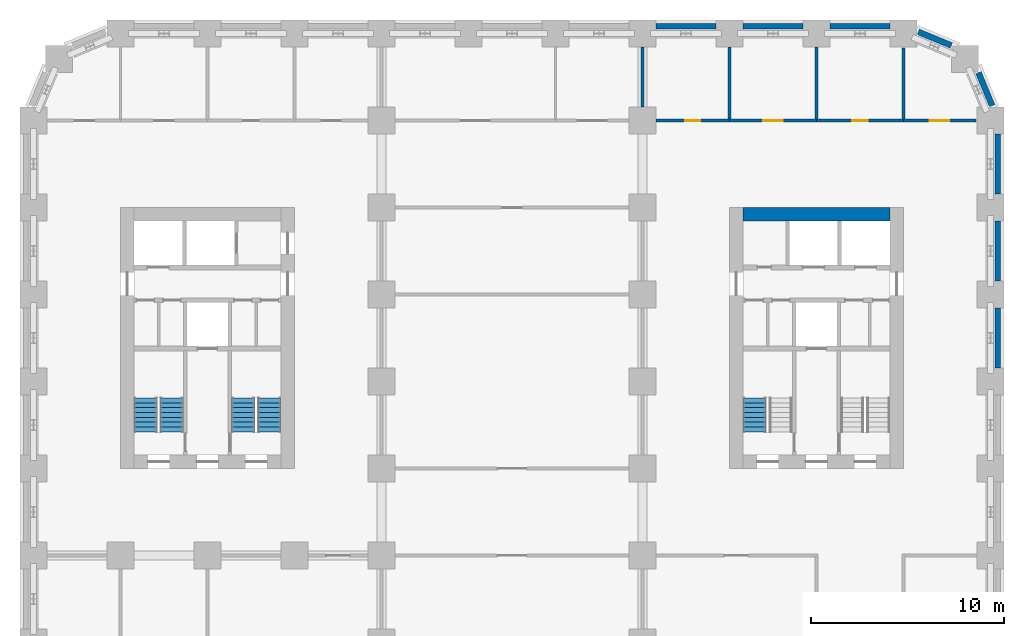
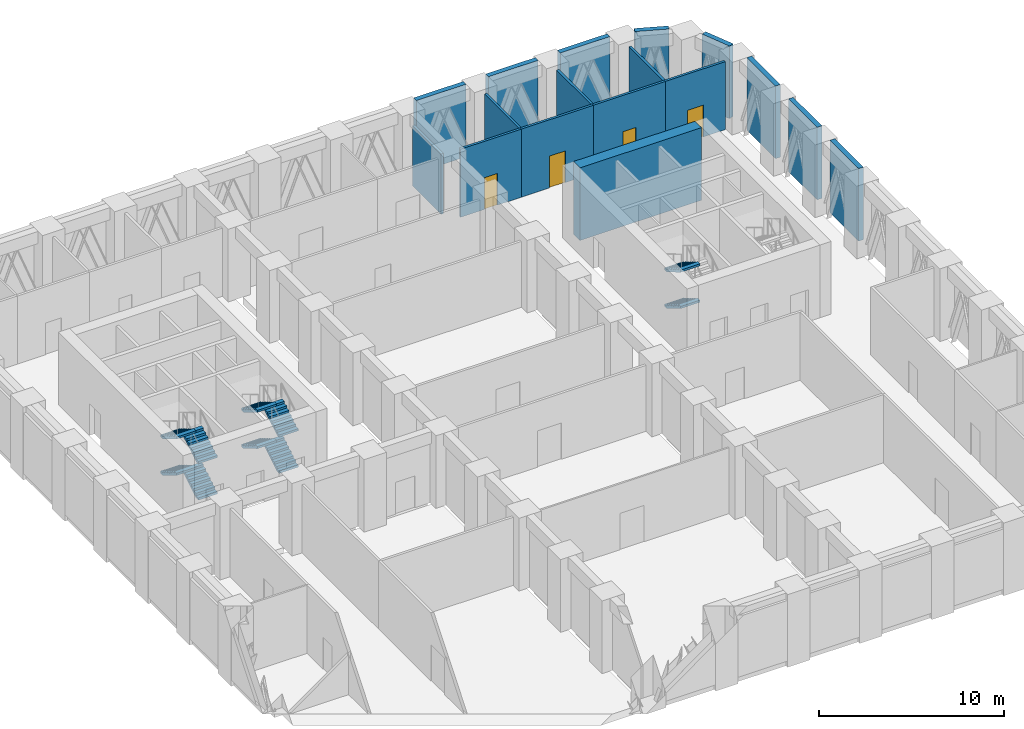
# One storey, part 6 of 9: 17 walls, 10 stair flights, 4 doors, 4 openings, 3 elements without a shape of their own.
"""IFC4 building model written with IfcOpenShell, lengths in metres."""

from ifc_helpers import new_model, si_unit, direction, frame, frame_2d, origin, place, context, subcontext, project, spatial, polyline, rectangle, outline, extrude, material, layer, layer_set, type_object, element, fill, aggregate, save


model = new_model("IFC4")

# Units and contexts
model_context = context("Model", 3, precision=1e-05, world=origin(), true_north=direction((0.0, 1.0)))
body_context = subcontext(model_context, "Body", "Model", "MODEL_VIEW")
ifc_project = project(units=[si_unit("LENGTHUNIT", "METRE"), si_unit("AREAUNIT", "SQUARE_METRE"), si_unit("VOLUMEUNIT", "CUBIC_METRE"), si_unit("PLANEANGLEUNIT", "RADIAN"), si_unit("MASSUNIT", "GRAM", prefix="KILO")], contexts=[model_context])

# Site, building, storey
site_placement = place(None, origin())
site = spatial("IfcSite", under=ifc_project, at=site_placement, CompositionType="ELEMENT")
building_placement = place(site_placement, origin())
building = spatial("IfcBuilding", under=site, at=building_placement, Name="Girih Gate Residences", CompositionType="ELEMENT")
storey_placement = place(building_placement, frame((0.0, 0.0, 75.199951171875)))
storey = spatial("IfcBuildingStorey", under=building, at=storey_placement, Name="L20", CompositionType="ELEMENT", Elevation=75.199951171875)

# Walls
ifc_material_1 = material(Name="Gypsum board on steel studs", Category="steel")
ifc_layer_1 = layer(ifc_material_1, 0.14990234375)
ifc_layer_set_1 = layer_set([ifc_layer_1], Name="Compartment wall 150 mm")
wall_type_1 = type_object("IfcWallType", Name="Compartment wall 150 mm", PredefinedType="PARTITIONING", material=ifc_layer_set_1)
wall_1_placement = place(storey_placement, frame((31.5, 45.699951171875, 0.0), z_axis=(0.0, 0.0, 1.0), x_axis=(0.0, 1.0, 0.0)))
element("IfcWall", 1, at=wall_1_placement, inside=storey, type_object=wall_type_1, Name="L20 partition", PredefinedType="PARTITIONING", context=body_context, shape_type="SweptSolid", body=[
    extrude(rectangle(XDim=3.10009765625, YDim=0.14990234375, at=frame_2d((1.550048828125, 0.0))), origin(), (0.0, 0.0, 1.0), 3.97998046875),
])
wall_2_placement = place(storey_placement, frame((45.0, 45.074951171875, 0.0), z_axis=(0.0, 0.0, 1.0), x_axis=(0.0, 1.0, 0.0)))
element("IfcWall", 2, at=wall_2_placement, inside=storey, type_object=wall_type_1, Name="L20 partition", PredefinedType="PARTITIONING", context=body_context, shape_type="SweptSolid", body=[
    extrude(rectangle(XDim=3.66748046875, YDim=0.14990234375, at=frame_2d((1.833740234375, 0.0))), origin(), (0.0, 0.0, 1.0), 4.5),
])

# Wall, opening, door
wall_3_placement = place(storey_placement, frame((45.0, 45.0, 0.0), z_axis=(0.0, 0.0, 1.0), x_axis=(1.0, 0.0, 0.0)))
wall_3 = element("IfcWall", 3, at=wall_3_placement, inside=storey, type_object=wall_type_1, Name="L20 partition", PredefinedType="PARTITIONING", context=body_context, shape_type="SweptSolid", body=[
    extrude(rectangle(XDim=3.742431640625, YDim=0.14990234375, at=frame_2d((1.87109375, 0.0))), origin(), (0.0, 0.0, 1.0), 4.5),
])
opening_1_placement = place(wall_3_placement, frame((1.37109375, 0.0, 0.0)))
opening_1 = element("IfcOpeningElement", 4, at=opening_1_placement, cuts=wall_3, Name="Opening D-L20-S-008", PredefinedType="OPENING", context=body_context, shape_type="SweptSolid", body=[
    extrude(rectangle(XDim=1.0, YDim=2.10009765625, at=frame_2d((0.5, 1.050048828125))), frame((0.0, 0.0849609375, 0.0), z_axis=(0.0, -1.0, 0.0), x_axis=(1.0, 0.0, 0.0)), (0.0, 0.0, 1.0), 0.169921875),
])
ifc_material_2 = material(Name="Painted steel, fire-resisting", Category="steel")
door_type_1 = type_object("IfcDoorType", Name="Plant room door 1000x2100 FD60", OperationType="SINGLE_SWING_LEFT", PredefinedType="DOOR", material=ifc_material_2)
door_1_placement = place(opening_1_placement, origin())
door_1 = element("IfcDoor", 5, at=door_1_placement, inside=storey, type_object=door_type_1, Name="Door L20-008", OperationType="SINGLE_SWING_RIGHT", OverallHeight=2.10009765625, OverallWidth=1.0, PredefinedType="DOOR", context=body_context, shape_type="SweptSolid", body=[
    extrude(rectangle(XDim=1.0, YDim=2.10009765625, at=frame_2d((0.5, 1.050048828125))), frame((0.0, 0.02490234375, 0.0), z_axis=(0.0, -1.0, 0.0), x_axis=(1.0, 0.0, 0.0)), (0.0, 0.0, 1.0), 0.050048828125),
])
fill(opening_1, door_1)

# Wall
wall_4_placement = place(storey_placement, frame((40.5, 45.074951171875, 0.0), z_axis=(0.0, 0.0, 1.0), x_axis=(0.0, 1.0, 0.0)))
element("IfcWall", 6, at=wall_4_placement, inside=storey, type_object=wall_type_1, Name="L20 partition", PredefinedType="PARTITIONING", context=body_context, shape_type="SweptSolid", body=[
    extrude(rectangle(XDim=3.72509765625, YDim=0.14990234375, at=frame_2d((1.862548828125, 0.0))), origin(), (0.0, 0.0, 1.0), 4.5),
])

# Wall, opening, door
wall_5_placement = place(storey_placement, frame((40.5, 45.0, 0.0), z_axis=(0.0, 0.0, 1.0), x_axis=(1.0, 0.0, 0.0)))
wall_5 = element("IfcWall", 7, at=wall_5_placement, inside=storey, type_object=wall_type_1, Name="L20 partition", PredefinedType="PARTITIONING", context=body_context, shape_type="SweptSolid", body=[
    extrude(rectangle(XDim=4.5, YDim=0.14990234375, at=frame_2d((2.25, 0.0))), origin(), (0.0, 0.0, 1.0), 4.5),
])
opening_2_placement = place(wall_5_placement, frame((1.85009765625, 0.0, 0.0)))
opening_2 = element("IfcOpeningElement", 8, at=opening_2_placement, cuts=wall_5, Name="Opening D-L20-S-009", PredefinedType="OPENING", context=body_context, shape_type="SweptSolid", body=[
    extrude(rectangle(XDim=0.800048828125, YDim=2.10009765625, at=frame_2d((0.39990234375, 1.050048828125))), frame((0.0, 0.0849609375, 0.0), z_axis=(0.0, -1.0, 0.0), x_axis=(1.0, 0.0, 0.0)), (0.0, 0.0, 1.0), 0.169921875),
])
ifc_material_3 = material(Name="Timber", Category="wood")
door_type_2 = type_object("IfcDoorType", Name="WC and store door 800x2100", OperationType="SINGLE_SWING_LEFT", PredefinedType="DOOR", material=ifc_material_3)
door_2_placement = place(opening_2_placement, origin())
door_2 = element("IfcDoor", 9, at=door_2_placement, inside=storey, type_object=door_type_2, Name="Door L20-009", OperationType="SINGLE_SWING_RIGHT", OverallHeight=2.10009765625, OverallWidth=0.800048828125, PredefinedType="DOOR", context=body_context, shape_type="SweptSolid", body=[
    extrude(rectangle(XDim=0.800048828125, YDim=2.10009765625, at=frame_2d((0.39990234375, 1.050048828125))), frame((0.0, 0.02490234375, 0.0), z_axis=(0.0, -1.0, 0.0), x_axis=(1.0, 0.0, 0.0)), (0.0, 0.0, 1.0), 0.050048828125),
])
fill(opening_2, door_2)

# Wall
wall_6_placement = place(storey_placement, frame((36.0, 45.074951171875, 0.0), z_axis=(0.0, 0.0, 1.0), x_axis=(0.0, 1.0, 0.0)))
element("IfcWall", 10, at=wall_6_placement, inside=storey, type_object=wall_type_1, Name="L20 partition", PredefinedType="PARTITIONING", context=body_context, shape_type="SweptSolid", body=[
    extrude(rectangle(XDim=3.72509765625, YDim=0.14990234375, at=frame_2d((1.862548828125, 0.0))), origin(), (0.0, 0.0, 1.0), 4.5),
])

# Wall, opening, door
wall_7_placement = place(storey_placement, frame((36.0, 45.0, 0.0), z_axis=(0.0, 0.0, 1.0), x_axis=(1.0, 0.0, 0.0)))
wall_7 = element("IfcWall", 11, at=wall_7_placement, inside=storey, type_object=wall_type_1, Name="L20 partition", PredefinedType="PARTITIONING", context=body_context, shape_type="SweptSolid", body=[
    extrude(rectangle(XDim=4.5, YDim=0.14990234375, at=frame_2d((2.25, 0.0))), origin(), (0.0, 0.0, 1.0), 4.5),
])
opening_3_placement = place(wall_7_placement, frame((1.75, 0.0, 0.0)))
opening_3 = element("IfcOpeningElement", 12, at=opening_3_placement, cuts=wall_7, Name="Opening D-L20-S-010", PredefinedType="OPENING", context=body_context, shape_type="SweptSolid", body=[
    extrude(rectangle(XDim=1.0, YDim=2.10009765625, at=frame_2d((0.5, 1.050048828125))), frame((0.0, 0.0849609375, 0.0), z_axis=(0.0, -1.0, 0.0), x_axis=(1.0, 0.0, 0.0)), (0.0, 0.0, 1.0), 0.169921875),
])
door_3_placement = place(opening_3_placement, origin())
door_3 = element("IfcDoor", 13, at=door_3_placement, inside=storey, type_object=door_type_1, Name="Door L20-010", OperationType="SINGLE_SWING_RIGHT", OverallHeight=2.10009765625, OverallWidth=1.0, PredefinedType="DOOR", context=body_context, shape_type="SweptSolid", body=[
    extrude(rectangle(XDim=1.0, YDim=2.10009765625, at=frame_2d((0.5, 1.050048828125))), frame((0.0, 0.02490234375, 0.0), z_axis=(0.0, -1.0, 0.0), x_axis=(1.0, 0.0, 0.0)), (0.0, 0.0, 1.0), 0.050048828125),
])
fill(opening_3, door_3)

wall_8_placement = place(storey_placement, frame((32.199951171875, 45.0, 0.0), z_axis=(0.0, 0.0, 1.0), x_axis=(1.0, 0.0, 0.0)))
wall_8 = element("IfcWall", 14, at=wall_8_placement, inside=storey, type_object=wall_type_1, Name="L20 partition", PredefinedType="PARTITIONING", context=body_context, shape_type="SweptSolid", body=[
    extrude(rectangle(XDim=3.800048828125, YDim=0.14990234375, at=frame_2d((1.89990234375, 0.0))), origin(), (0.0, 0.0, 1.0), 4.5),
])
opening_4_placement = place(wall_8_placement, frame((1.5, 0.0, 0.0)))
opening_4 = element("IfcOpeningElement", 15, at=opening_4_placement, cuts=wall_8, Name="Opening D-L20-S-011", PredefinedType="OPENING", context=body_context, shape_type="SweptSolid", body=[
    extrude(rectangle(XDim=0.800048828125, YDim=2.10009765625, at=frame_2d((0.39990234375, 1.050048828125))), frame((0.0, 0.0849609375, 0.0), z_axis=(0.0, -1.0, 0.0), x_axis=(1.0, 0.0, 0.0)), (0.0, 0.0, 1.0), 0.169921875),
])
door_4_placement = place(opening_4_placement, origin())
door_4 = element("IfcDoor", 16, at=door_4_placement, inside=storey, type_object=door_type_2, Name="Door L20-011", OperationType="SINGLE_SWING_RIGHT", OverallHeight=2.10009765625, OverallWidth=0.800048828125, PredefinedType="DOOR", context=body_context, shape_type="SweptSolid", body=[
    extrude(rectangle(XDim=0.800048828125, YDim=2.10009765625, at=frame_2d((0.39990234375, 1.050048828125))), frame((0.0, 0.02490234375, 0.0), z_axis=(0.0, -1.0, 0.0), x_axis=(1.0, 0.0, 0.0)), (0.0, 0.0, 1.0), 0.050048828125),
])
fill(opening_4, door_4)

# Walls
ifc_material_4 = material(Name="Concrete C60/75", Category="concrete")
ifc_layer_2 = layer(ifc_material_4, 0.699951171875)
ifc_layer_set_2 = layer_set([ifc_layer_2], Name="Core wall RC 700 Concrete C60/75")
wall_type_2 = type_object("IfcWallType", Name="Core wall RC 700 Concrete C60/75", PredefinedType="SOLIDWALL", material=ifc_layer_set_2)
wall_9_placement = place(storey_placement, frame((36.699951171875, 40.14990234375, 0.0), z_axis=(0.0, 0.0, 1.0), x_axis=(1.0, 0.0, 0.0)))
element("IfcWall", 17, at=wall_9_placement, inside=storey, type_object=wall_type_2, Name="Core wall E-N L20", PredefinedType="SOLIDWALL", context=body_context, shape_type="SweptSolid", body=[
    extrude(rectangle(XDim=7.60009765625, YDim=0.699951171875, at=frame_2d((3.800048828125, 0.0))), origin(), (0.0, 0.0, 1.0), 4.800048828125),
])
ifc_material_5 = material(Name="Precast concrete C50/60", Category="concrete")
ifc_layer_3 = layer(ifc_material_5, 0.080078125, Name="Outer leaf")
ifc_material_6 = material(Name="Rigid PIR insulation")
ifc_layer_4 = layer(ifc_material_6, 0.14990234375, Name="Insulation")
ifc_material_7 = material(Name="Precast concrete C40/50", Category="concrete")
ifc_layer_5 = layer(ifc_material_7, 0.070068359375, Name="Inner leaf")
ifc_layer_set_3 = layer_set([ifc_layer_3, ifc_layer_4, ifc_layer_5], Name="Precast concrete C50/60 external wall 300")
wall_type_3 = type_object("IfcWallType", Name="Precast concrete C50/60 external wall 300", PredefinedType="SOLIDWALL", material=ifc_layer_set_3)
for number, where, z_axis, x_axis, name in (
    (18, (49.875, 35.300048828125, 0.0), (0.0, 0.0, 1.0), (0.0, -1.0, 0.0), "External wall E0495_0045.6"),
    (19, (49.875, 39.800048828125, 0.0), (0.0, 0.0, 1.0), (0.0, -1.0, 0.0), "External wall E0495_0045.7"),
    (20, (49.875, 44.300048828125, 0.0), (0.0, 0.0, 1.0), (0.0, -1.0, 0.0), "External wall E0495_0045.8"),
):
    element("IfcWall", number, at=place(storey_placement, frame(where, z_axis=z_axis, x_axis=x_axis)), inside=storey, type_object=wall_type_3, Name=name, PredefinedType="SOLIDWALL", context=body_context, shape_type="SweptSolid", body=[
        extrude(rectangle(XDim=3.10009765625, YDim=0.300048828125, at=frame_2d((1.550048828125, 0.0))), origin(), (0.0, 0.0, 1.0), 4.800048828125),
    ])
wall_10_placement = place(storey_placement, frame((48.87841796875, 47.48046875, 0.0), z_axis=(0.0, 0.0, 1.0), x_axis=(0.38262540684, -0.923903565336, 0.0)))
element("IfcWall", 21, at=wall_10_placement, inside=storey, type_object=wall_type_3, Name="External wall NE0495_0450.0", PredefinedType="SOLIDWALL", context=body_context, shape_type="SweptSolid", body=[
    extrude(rectangle(XDim=1.864990234375, YDim=0.300048828125, at=frame_2d((0.9326171875, 0.0))), origin(), (0.0, 0.0, 1.0), 4.800048828125),
])
wall_11_placement = place(storey_placement, frame((45.75732421875, 49.59228515625, 0.0), z_axis=(0.0, 0.0, 1.0), x_axis=(0.923857286003, -0.382737135771, 0.0)))
element("IfcWall", 22, at=wall_11_placement, inside=storey, type_object=wall_type_3, Name="External wall NE0482_0482.0", PredefinedType="SOLIDWALL", context=body_context, shape_type="SweptSolid", body=[
    extrude(rectangle(XDim=1.865234375, YDim=0.300048828125, at=frame_2d((0.9326171875, 0.0))), origin(), (0.0, 0.0, 1.0), 4.800048828125),
])
for number, where, z_axis, x_axis, name in (
    (23, (41.199951171875, 49.875, 0.0), (0.0, 0.0, 1.0), (1.0, 0.0, 0.0), "External wall N0450_0495.0"),
    (24, (36.699951171875, 49.875, 0.0), (0.0, 0.0, 1.0), (1.0, 0.0, 0.0), "External wall N0450_0495.1"),
    (25, (32.199951171875, 49.875, 0.0), (0.0, 0.0, 1.0), (1.0, 0.0, 0.0), "External wall N0450_0495.2"),
):
    element("IfcWall", number, at=place(storey_placement, frame(where, z_axis=z_axis, x_axis=x_axis)), inside=storey, type_object=wall_type_3, Name=name, PredefinedType="SOLIDWALL", context=body_context, shape_type="SweptSolid", body=[
        extrude(rectangle(XDim=3.10009765625, YDim=0.300048828125, at=frame_2d((1.550048828125, 0.0))), origin(), (0.0, 0.0, 1.0), 4.800048828125),
    ])

# Stair, stair flights
ifc_material_8 = material(Name="Concrete C40/50", Category="concrete")
stair_type = type_object("IfcStairType", Name="Exit stair", PredefinedType="HALF_TURN_STAIR", material=ifc_material_8)
stair_1_placement = place(storey_placement, origin())
stair_1 = element("IfcStair", 26, at=stair_1_placement, inside=storey, type_object=stair_type, Name="L20 Exit Stair ST-W1", PredefinedType="HALF_TURN_STAIR")
stair_flight_type = type_object("IfcStairFlightType", Name="Stair flight 1200", PredefinedType="STRAIGHT", material=ifc_material_8)
stair_flight_1_placement = place(storey_placement, frame((7.14990234375, 28.89990234375, 0.0), z_axis=(0.0, 0.0, 1.0), x_axis=(0.0, 1.0, 0.0)))
stair_flight_1 = element("IfcStairFlight", 27, at=stair_flight_1_placement, type_object=stair_flight_type, Name="ST-W1 flight 1", NumberOfRisers=8, NumberOfTreads=7, PredefinedType="STRAIGHT", RiserHeight=0.15, TreadLength=0.25, context=body_context, shape_type="SweptSolid", body=[
    extrude(outline(polyline([(0.0, 0.0), (0.0, 0.0107421875), (0.0, 0.021484375), (0.0, 0.0322265625), (0.0, 0.04296875), (0.0, 0.053466796875), (0.0, 0.064208984375), (0.0, 0.074951171875), (0.0, 0.085693359375), (0.0, 0.096435546875), (0.0, 0.107177734375), (0.0, 0.117919921875), (0.0, 0.128662109375), (0.0, 0.139404296875), (0.0, 0.14990234375), (0.25, 0.14990234375), (0.25, 0.300048828125), (0.5, 0.300048828125), (0.5, 0.449951171875), (0.75, 0.449951171875), (0.75, 0.60009765625), (1.0, 0.60009765625), (1.0, 0.75), (1.25, 0.75), (1.25, 0.89990234375), (1.5, 0.89990234375), (1.5, 1.050048828125), (1.75, 1.050048828125), (1.75, 1.060791015625), (1.75, 1.071533203125), (1.75, 1.08203125), (1.75, 1.0927734375), (1.75, 1.103515625), (1.75, 1.1142578125), (1.75, 1.125), (1.75, 1.1357421875), (1.75, 1.146484375), (1.75, 1.1572265625), (1.75, 1.16796875), (1.75, 1.178466796875), (1.75, 1.189208984375), (1.75, 1.199951171875), (1.75, 1.17919921875), (1.75, 1.158447265625), (1.75, 1.137939453125), (1.75, 1.1171875), (1.75, 1.096435546875), (1.75, 1.07568359375), (1.75, 1.054931640625), (1.75, 1.0341796875), (1.75, 1.013427734375), (1.75, 0.992919921875), (1.75, 0.97216796875), (1.75, 0.951416015625), (1.75, 0.9306640625), (1.75, 0.909912109375), (0.2333984375, 0.0), (0.0, 0.0)])), frame((0.0, 0.60009765625, 0.0), z_axis=(0.0, -1.0, 0.0), x_axis=(1.0, 0.0, 0.0)), (0.0, 0.0, 1.0), 1.199951171875),
])
stair_flight_2_placement = place(storey_placement, frame((5.800048828125, 30.64990234375, 1.199951171875), z_axis=(0.0, 0.0, 1.0), x_axis=(0.0, -1.0, 0.0)))
stair_flight_2 = element("IfcStairFlight", 28, at=stair_flight_2_placement, type_object=stair_flight_type, Name="ST-W1 flight 2", NumberOfRisers=8, NumberOfTreads=7, PredefinedType="STRAIGHT", RiserHeight=0.15, TreadLength=0.25, context=body_context, shape_type="SweptSolid", body=[
    extrude(outline(polyline([(0.0, 0.0), (0.0, 0.0107421875), (0.0, 0.021484375), (0.0, 0.0322265625), (0.0, 0.04296875), (0.0, 0.053466796875), (0.0, 0.064208984375), (0.0, 0.074951171875), (0.0, 0.085693359375), (0.0, 0.096435546875), (0.0, 0.107177734375), (0.0, 0.117919921875), (0.0, 0.128662109375), (0.0, 0.139404296875), (0.0, 0.14990234375), (0.25, 0.14990234375), (0.25, 0.300048828125), (0.5, 0.300048828125), (0.5, 0.449951171875), (0.75, 0.449951171875), (0.75, 0.60009765625), (1.0, 0.60009765625), (1.0, 0.75), (1.25, 0.75), (1.25, 0.89990234375), (1.5, 0.89990234375), (1.5, 1.050048828125), (1.75, 1.050048828125), (1.75, 1.060791015625), (1.75, 1.071533203125), (1.75, 1.08203125), (1.75, 1.0927734375), (1.75, 1.103515625), (1.75, 1.1142578125), (1.75, 1.125), (1.75, 1.1357421875), (1.75, 1.146484375), (1.75, 1.1572265625), (1.75, 1.16796875), (1.75, 1.178466796875), (1.75, 1.189208984375), (1.75, 1.199951171875), (1.75, 1.17919921875), (1.75, 1.158447265625), (1.75, 1.137939453125), (1.75, 1.1171875), (1.75, 1.096435546875), (1.75, 1.07568359375), (1.75, 1.054931640625), (1.75, 1.0341796875), (1.75, 1.013427734375), (1.75, 0.992919921875), (1.75, 0.97216796875), (1.75, 0.951416015625), (1.75, 0.9306640625), (1.75, 0.909912109375), (0.2333984375, 0.0), (0.0, 0.0)])), frame((0.0, 0.60009765625, 0.0), z_axis=(0.0, -1.0, 0.0), x_axis=(1.0, 0.0, 0.0)), (0.0, 0.0, 1.0), 1.199951171875),
])
stair_flight_3_placement = place(storey_placement, frame((7.14990234375, 28.89990234375, 2.400146484375), z_axis=(0.0, 0.0, 1.0), x_axis=(0.0, 1.0, 0.0)))
stair_flight_3 = element("IfcStairFlight", 29, at=stair_flight_3_placement, type_object=stair_flight_type, Name="ST-W1 flight 3", NumberOfRisers=8, NumberOfTreads=7, PredefinedType="STRAIGHT", RiserHeight=0.15, TreadLength=0.25, context=body_context, shape_type="SweptSolid", body=[
    extrude(outline(polyline([(0.0, 0.0), (0.0, 0.0107421875), (0.0, 0.021484375), (0.0, 0.0322265625), (0.0, 0.04296875), (0.0, 0.053466796875), (0.0, 0.064208984375), (0.0, 0.074951171875), (0.0, 0.085693359375), (0.0, 0.096435546875), (0.0, 0.107177734375), (0.0, 0.117919921875), (0.0, 0.128662109375), (0.0, 0.139404296875), (0.0, 0.14990234375), (0.25, 0.14990234375), (0.25, 0.300048828125), (0.5, 0.300048828125), (0.5, 0.449951171875), (0.75, 0.449951171875), (0.75, 0.60009765625), (1.0, 0.60009765625), (1.0, 0.75), (1.25, 0.75), (1.25, 0.89990234375), (1.5, 0.89990234375), (1.5, 1.050048828125), (1.75, 1.050048828125), (1.75, 1.060791015625), (1.75, 1.071533203125), (1.75, 1.08203125), (1.75, 1.0927734375), (1.75, 1.103515625), (1.75, 1.1142578125), (1.75, 1.125), (1.75, 1.1357421875), (1.75, 1.146484375), (1.75, 1.1572265625), (1.75, 1.16796875), (1.75, 1.178466796875), (1.75, 1.189208984375), (1.75, 1.199951171875), (1.75, 1.17919921875), (1.75, 1.158447265625), (1.75, 1.137939453125), (1.75, 1.1171875), (1.75, 1.096435546875), (1.75, 1.07568359375), (1.75, 1.054931640625), (1.75, 1.0341796875), (1.75, 1.013427734375), (1.75, 0.992919921875), (1.75, 0.97216796875), (1.75, 0.951416015625), (1.75, 0.9306640625), (1.75, 0.909912109375), (0.2333984375, 0.0), (0.0, 0.0)])), frame((0.0, 0.60009765625, 0.0), z_axis=(0.0, -1.0, 0.0), x_axis=(1.0, 0.0, 0.0)), (0.0, 0.0, 1.0), 1.199951171875),
])
stair_flight_4_placement = place(storey_placement, frame((5.800048828125, 30.64990234375, 3.60009765625), z_axis=(0.0, 0.0, 1.0), x_axis=(0.0, -1.0, 0.0)))
stair_flight_4 = element("IfcStairFlight", 30, at=stair_flight_4_placement, type_object=stair_flight_type, Name="ST-W1 flight 4", NumberOfRisers=8, NumberOfTreads=7, PredefinedType="STRAIGHT", RiserHeight=0.15, TreadLength=0.25, context=body_context, shape_type="SweptSolid", body=[
    extrude(outline(polyline([(0.0, 0.0), (0.0, 0.0107421875), (0.0, 0.021484375), (0.0, 0.0322265625), (0.0, 0.04296875), (0.0, 0.053466796875), (0.0, 0.064208984375), (0.0, 0.074951171875), (0.0, 0.085693359375), (0.0, 0.096435546875), (0.0, 0.107177734375), (0.0, 0.117919921875), (0.0, 0.128662109375), (0.0, 0.139404296875), (0.0, 0.14990234375), (0.25, 0.14990234375), (0.25, 0.300048828125), (0.5, 0.300048828125), (0.5, 0.449951171875), (0.75, 0.449951171875), (0.75, 0.60009765625), (1.0, 0.60009765625), (1.0, 0.75), (1.25, 0.75), (1.25, 0.89990234375), (1.5, 0.89990234375), (1.5, 1.050048828125), (1.75, 1.050048828125), (1.75, 1.060791015625), (1.75, 1.071533203125), (1.75, 1.08203125), (1.75, 1.0927734375), (1.75, 1.103515625), (1.75, 1.1142578125), (1.75, 1.125), (1.75, 1.1357421875), (1.75, 1.146484375), (1.75, 1.1572265625), (1.75, 1.16796875), (1.75, 1.178466796875), (1.75, 1.189208984375), (1.75, 1.199951171875), (1.75, 1.17919921875), (1.75, 1.158447265625), (1.75, 1.137939453125), (1.75, 1.1171875), (1.75, 1.096435546875), (1.75, 1.07568359375), (1.75, 1.054931640625), (1.75, 1.0341796875), (1.75, 1.013427734375), (1.75, 0.992919921875), (1.75, 0.97216796875), (1.75, 0.951416015625), (1.75, 0.9306640625), (1.75, 0.909912109375), (0.2333984375, 0.0), (0.0, 0.0)])), frame((0.0, 0.60009765625, 0.0), z_axis=(0.0, -1.0, 0.0), x_axis=(1.0, 0.0, 0.0)), (0.0, 0.0, 1.0), 1.199951171875),
])
aggregate(stair_1, [stair_flight_1, stair_flight_2, stair_flight_3, stair_flight_4])

stair_2_placement = place(storey_placement, origin())
stair_2 = element("IfcStair", 31, at=stair_2_placement, inside=storey, type_object=stair_type, Name="L20 Exit Stair ST-W2", PredefinedType="HALF_TURN_STAIR")
stair_flight_5_placement = place(storey_placement, frame((12.199951171875, 28.89990234375, 0.0), z_axis=(0.0, 0.0, 1.0), x_axis=(0.0, 1.0, 0.0)))
stair_flight_5 = element("IfcStairFlight", 32, at=stair_flight_5_placement, type_object=stair_flight_type, Name="ST-W2 flight 1", NumberOfRisers=8, NumberOfTreads=7, PredefinedType="STRAIGHT", RiserHeight=0.15, TreadLength=0.25, context=body_context, shape_type="SweptSolid", body=[
    extrude(outline(polyline([(0.0, 0.0), (0.0, 0.0107421875), (0.0, 0.021484375), (0.0, 0.0322265625), (0.0, 0.04296875), (0.0, 0.053466796875), (0.0, 0.064208984375), (0.0, 0.074951171875), (0.0, 0.085693359375), (0.0, 0.096435546875), (0.0, 0.107177734375), (0.0, 0.117919921875), (0.0, 0.128662109375), (0.0, 0.139404296875), (0.0, 0.14990234375), (0.25, 0.14990234375), (0.25, 0.300048828125), (0.5, 0.300048828125), (0.5, 0.449951171875), (0.75, 0.449951171875), (0.75, 0.60009765625), (1.0, 0.60009765625), (1.0, 0.75), (1.25, 0.75), (1.25, 0.89990234375), (1.5, 0.89990234375), (1.5, 1.050048828125), (1.75, 1.050048828125), (1.75, 1.060791015625), (1.75, 1.071533203125), (1.75, 1.08203125), (1.75, 1.0927734375), (1.75, 1.103515625), (1.75, 1.1142578125), (1.75, 1.125), (1.75, 1.1357421875), (1.75, 1.146484375), (1.75, 1.1572265625), (1.75, 1.16796875), (1.75, 1.178466796875), (1.75, 1.189208984375), (1.75, 1.199951171875), (1.75, 1.17919921875), (1.75, 1.158447265625), (1.75, 1.137939453125), (1.75, 1.1171875), (1.75, 1.096435546875), (1.75, 1.07568359375), (1.75, 1.054931640625), (1.75, 1.0341796875), (1.75, 1.013427734375), (1.75, 0.992919921875), (1.75, 0.97216796875), (1.75, 0.951416015625), (1.75, 0.9306640625), (1.75, 0.909912109375), (0.2333984375, 0.0), (0.0, 0.0)])), frame((0.0, 0.60009765625, 0.0), z_axis=(0.0, -1.0, 0.0), x_axis=(1.0, 0.0, 0.0)), (0.0, 0.0, 1.0), 1.199951171875),
])
stair_flight_6_placement = place(storey_placement, frame((10.85009765625, 30.64990234375, 1.199951171875), z_axis=(0.0, 0.0, 1.0), x_axis=(0.0, -1.0, 0.0)))
stair_flight_6 = element("IfcStairFlight", 33, at=stair_flight_6_placement, type_object=stair_flight_type, Name="ST-W2 flight 2", NumberOfRisers=8, NumberOfTreads=7, PredefinedType="STRAIGHT", RiserHeight=0.15, TreadLength=0.25, context=body_context, shape_type="SweptSolid", body=[
    extrude(outline(polyline([(0.0, 0.0), (0.0, 0.0107421875), (0.0, 0.021484375), (0.0, 0.0322265625), (0.0, 0.04296875), (0.0, 0.053466796875), (0.0, 0.064208984375), (0.0, 0.074951171875), (0.0, 0.085693359375), (0.0, 0.096435546875), (0.0, 0.107177734375), (0.0, 0.117919921875), (0.0, 0.128662109375), (0.0, 0.139404296875), (0.0, 0.14990234375), (0.25, 0.14990234375), (0.25, 0.300048828125), (0.5, 0.300048828125), (0.5, 0.449951171875), (0.75, 0.449951171875), (0.75, 0.60009765625), (1.0, 0.60009765625), (1.0, 0.75), (1.25, 0.75), (1.25, 0.89990234375), (1.5, 0.89990234375), (1.5, 1.050048828125), (1.75, 1.050048828125), (1.75, 1.060791015625), (1.75, 1.071533203125), (1.75, 1.08203125), (1.75, 1.0927734375), (1.75, 1.103515625), (1.75, 1.1142578125), (1.75, 1.125), (1.75, 1.1357421875), (1.75, 1.146484375), (1.75, 1.1572265625), (1.75, 1.16796875), (1.75, 1.178466796875), (1.75, 1.189208984375), (1.75, 1.199951171875), (1.75, 1.17919921875), (1.75, 1.158447265625), (1.75, 1.137939453125), (1.75, 1.1171875), (1.75, 1.096435546875), (1.75, 1.07568359375), (1.75, 1.054931640625), (1.75, 1.0341796875), (1.75, 1.013427734375), (1.75, 0.992919921875), (1.75, 0.97216796875), (1.75, 0.951416015625), (1.75, 0.9306640625), (1.75, 0.909912109375), (0.2333984375, 0.0), (0.0, 0.0)])), frame((0.0, 0.60009765625, 0.0), z_axis=(0.0, -1.0, 0.0), x_axis=(1.0, 0.0, 0.0)), (0.0, 0.0, 1.0), 1.199951171875),
])
stair_flight_7_placement = place(storey_placement, frame((12.199951171875, 28.89990234375, 2.400146484375), z_axis=(0.0, 0.0, 1.0), x_axis=(0.0, 1.0, 0.0)))
stair_flight_7 = element("IfcStairFlight", 34, at=stair_flight_7_placement, type_object=stair_flight_type, Name="ST-W2 flight 3", NumberOfRisers=8, NumberOfTreads=7, PredefinedType="STRAIGHT", RiserHeight=0.15, TreadLength=0.25, context=body_context, shape_type="SweptSolid", body=[
    extrude(outline(polyline([(0.0, 0.0), (0.0, 0.0107421875), (0.0, 0.021484375), (0.0, 0.0322265625), (0.0, 0.04296875), (0.0, 0.053466796875), (0.0, 0.064208984375), (0.0, 0.074951171875), (0.0, 0.085693359375), (0.0, 0.096435546875), (0.0, 0.107177734375), (0.0, 0.117919921875), (0.0, 0.128662109375), (0.0, 0.139404296875), (0.0, 0.14990234375), (0.25, 0.14990234375), (0.25, 0.300048828125), (0.5, 0.300048828125), (0.5, 0.449951171875), (0.75, 0.449951171875), (0.75, 0.60009765625), (1.0, 0.60009765625), (1.0, 0.75), (1.25, 0.75), (1.25, 0.89990234375), (1.5, 0.89990234375), (1.5, 1.050048828125), (1.75, 1.050048828125), (1.75, 1.060791015625), (1.75, 1.071533203125), (1.75, 1.08203125), (1.75, 1.0927734375), (1.75, 1.103515625), (1.75, 1.1142578125), (1.75, 1.125), (1.75, 1.1357421875), (1.75, 1.146484375), (1.75, 1.1572265625), (1.75, 1.16796875), (1.75, 1.178466796875), (1.75, 1.189208984375), (1.75, 1.199951171875), (1.75, 1.17919921875), (1.75, 1.158447265625), (1.75, 1.137939453125), (1.75, 1.1171875), (1.75, 1.096435546875), (1.75, 1.07568359375), (1.75, 1.054931640625), (1.75, 1.0341796875), (1.75, 1.013427734375), (1.75, 0.992919921875), (1.75, 0.97216796875), (1.75, 0.951416015625), (1.75, 0.9306640625), (1.75, 0.909912109375), (0.2333984375, 0.0), (0.0, 0.0)])), frame((0.0, 0.60009765625, 0.0), z_axis=(0.0, -1.0, 0.0), x_axis=(1.0, 0.0, 0.0)), (0.0, 0.0, 1.0), 1.199951171875),
])
stair_flight_8_placement = place(storey_placement, frame((10.85009765625, 30.64990234375, 3.60009765625), z_axis=(0.0, 0.0, 1.0), x_axis=(0.0, -1.0, 0.0)))
stair_flight_8 = element("IfcStairFlight", 35, at=stair_flight_8_placement, type_object=stair_flight_type, Name="ST-W2 flight 4", NumberOfRisers=8, NumberOfTreads=7, PredefinedType="STRAIGHT", RiserHeight=0.15, TreadLength=0.25, context=body_context, shape_type="SweptSolid", body=[
    extrude(outline(polyline([(0.0, 0.0), (0.0, 0.0107421875), (0.0, 0.021484375), (0.0, 0.0322265625), (0.0, 0.04296875), (0.0, 0.053466796875), (0.0, 0.064208984375), (0.0, 0.074951171875), (0.0, 0.085693359375), (0.0, 0.096435546875), (0.0, 0.107177734375), (0.0, 0.117919921875), (0.0, 0.128662109375), (0.0, 0.139404296875), (0.0, 0.14990234375), (0.25, 0.14990234375), (0.25, 0.300048828125), (0.5, 0.300048828125), (0.5, 0.449951171875), (0.75, 0.449951171875), (0.75, 0.60009765625), (1.0, 0.60009765625), (1.0, 0.75), (1.25, 0.75), (1.25, 0.89990234375), (1.5, 0.89990234375), (1.5, 1.050048828125), (1.75, 1.050048828125), (1.75, 1.060791015625), (1.75, 1.071533203125), (1.75, 1.08203125), (1.75, 1.0927734375), (1.75, 1.103515625), (1.75, 1.1142578125), (1.75, 1.125), (1.75, 1.1357421875), (1.75, 1.146484375), (1.75, 1.1572265625), (1.75, 1.16796875), (1.75, 1.178466796875), (1.75, 1.189208984375), (1.75, 1.199951171875), (1.75, 1.17919921875), (1.75, 1.158447265625), (1.75, 1.137939453125), (1.75, 1.1171875), (1.75, 1.096435546875), (1.75, 1.07568359375), (1.75, 1.054931640625), (1.75, 1.0341796875), (1.75, 1.013427734375), (1.75, 0.992919921875), (1.75, 0.97216796875), (1.75, 0.951416015625), (1.75, 0.9306640625), (1.75, 0.909912109375), (0.2333984375, 0.0), (0.0, 0.0)])), frame((0.0, 0.60009765625, 0.0), z_axis=(0.0, -1.0, 0.0), x_axis=(1.0, 0.0, 0.0)), (0.0, 0.0, 1.0), 1.199951171875),
])
aggregate(stair_2, [stair_flight_5, stair_flight_6, stair_flight_7, stair_flight_8])

stair_3_placement = place(storey_placement, origin())
stair_3 = element("IfcStair", 36, at=stair_3_placement, inside=storey, type_object=stair_type, Name="L20 Exit Stair ST-E2", PredefinedType="HALF_TURN_STAIR")
stair_flight_9_placement = place(storey_placement, frame((37.300048828125, 30.64990234375, 1.199951171875), z_axis=(0.0, 0.0, 1.0), x_axis=(0.0, -1.0, 0.0)))
stair_flight_9 = element("IfcStairFlight", 37, at=stair_flight_9_placement, type_object=stair_flight_type, Name="ST-E2 flight 2", NumberOfRisers=8, NumberOfTreads=7, PredefinedType="STRAIGHT", RiserHeight=0.15, TreadLength=0.25, context=body_context, shape_type="SweptSolid", body=[
    extrude(outline(polyline([(0.0, 0.0), (0.0, 0.0107421875), (0.0, 0.021484375), (0.0, 0.0322265625), (0.0, 0.04296875), (0.0, 0.053466796875), (0.0, 0.064208984375), (0.0, 0.074951171875), (0.0, 0.085693359375), (0.0, 0.096435546875), (0.0, 0.107177734375), (0.0, 0.117919921875), (0.0, 0.128662109375), (0.0, 0.139404296875), (0.0, 0.14990234375), (0.25, 0.14990234375), (0.25, 0.300048828125), (0.5, 0.300048828125), (0.5, 0.449951171875), (0.75, 0.449951171875), (0.75, 0.60009765625), (1.0, 0.60009765625), (1.0, 0.75), (1.25, 0.75), (1.25, 0.89990234375), (1.5, 0.89990234375), (1.5, 1.050048828125), (1.75, 1.050048828125), (1.75, 1.060791015625), (1.75, 1.071533203125), (1.75, 1.08203125), (1.75, 1.0927734375), (1.75, 1.103515625), (1.75, 1.1142578125), (1.75, 1.125), (1.75, 1.1357421875), (1.75, 1.146484375), (1.75, 1.1572265625), (1.75, 1.16796875), (1.75, 1.178466796875), (1.75, 1.189208984375), (1.75, 1.199951171875), (1.75, 1.17919921875), (1.75, 1.158447265625), (1.75, 1.137939453125), (1.75, 1.1171875), (1.75, 1.096435546875), (1.75, 1.07568359375), (1.75, 1.054931640625), (1.75, 1.0341796875), (1.75, 1.013427734375), (1.75, 0.992919921875), (1.75, 0.97216796875), (1.75, 0.951416015625), (1.75, 0.9306640625), (1.75, 0.909912109375), (0.2333984375, 0.0), (0.0, 0.0)])), frame((0.0, 0.60009765625, 0.0), z_axis=(0.0, -1.0, 0.0), x_axis=(1.0, 0.0, 0.0)), (0.0, 0.0, 1.0), 1.199951171875),
])
stair_flight_10_placement = place(storey_placement, frame((37.300048828125, 30.64990234375, 3.60009765625), z_axis=(0.0, 0.0, 1.0), x_axis=(0.0, -1.0, 0.0)))
stair_flight_10 = element("IfcStairFlight", 38, at=stair_flight_10_placement, type_object=stair_flight_type, Name="ST-E2 flight 4", NumberOfRisers=8, NumberOfTreads=7, PredefinedType="STRAIGHT", RiserHeight=0.15, TreadLength=0.25, context=body_context, shape_type="SweptSolid", body=[
    extrude(outline(polyline([(0.0, 0.0), (0.0, 0.0107421875), (0.0, 0.021484375), (0.0, 0.0322265625), (0.0, 0.04296875), (0.0, 0.053466796875), (0.0, 0.064208984375), (0.0, 0.074951171875), (0.0, 0.085693359375), (0.0, 0.096435546875), (0.0, 0.107177734375), (0.0, 0.117919921875), (0.0, 0.128662109375), (0.0, 0.139404296875), (0.0, 0.14990234375), (0.25, 0.14990234375), (0.25, 0.300048828125), (0.5, 0.300048828125), (0.5, 0.449951171875), (0.75, 0.449951171875), (0.75, 0.60009765625), (1.0, 0.60009765625), (1.0, 0.75), (1.25, 0.75), (1.25, 0.89990234375), (1.5, 0.89990234375), (1.5, 1.050048828125), (1.75, 1.050048828125), (1.75, 1.060791015625), (1.75, 1.071533203125), (1.75, 1.08203125), (1.75, 1.0927734375), (1.75, 1.103515625), (1.75, 1.1142578125), (1.75, 1.125), (1.75, 1.1357421875), (1.75, 1.146484375), (1.75, 1.1572265625), (1.75, 1.16796875), (1.75, 1.178466796875), (1.75, 1.189208984375), (1.75, 1.199951171875), (1.75, 1.17919921875), (1.75, 1.158447265625), (1.75, 1.137939453125), (1.75, 1.1171875), (1.75, 1.096435546875), (1.75, 1.07568359375), (1.75, 1.054931640625), (1.75, 1.0341796875), (1.75, 1.013427734375), (1.75, 0.992919921875), (1.75, 0.97216796875), (1.75, 0.951416015625), (1.75, 0.9306640625), (1.75, 0.909912109375), (0.2333984375, 0.0), (0.0, 0.0)])), frame((0.0, 0.60009765625, 0.0), z_axis=(0.0, -1.0, 0.0), x_axis=(1.0, 0.0, 0.0)), (0.0, 0.0, 1.0), 1.199951171875),
])
aggregate(stair_3, [stair_flight_9, stair_flight_10])

save(model, "model.ifc")
